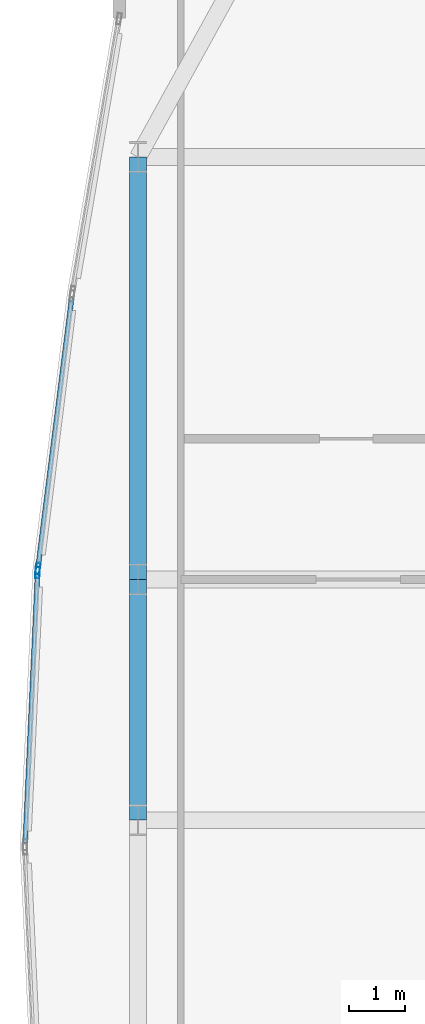
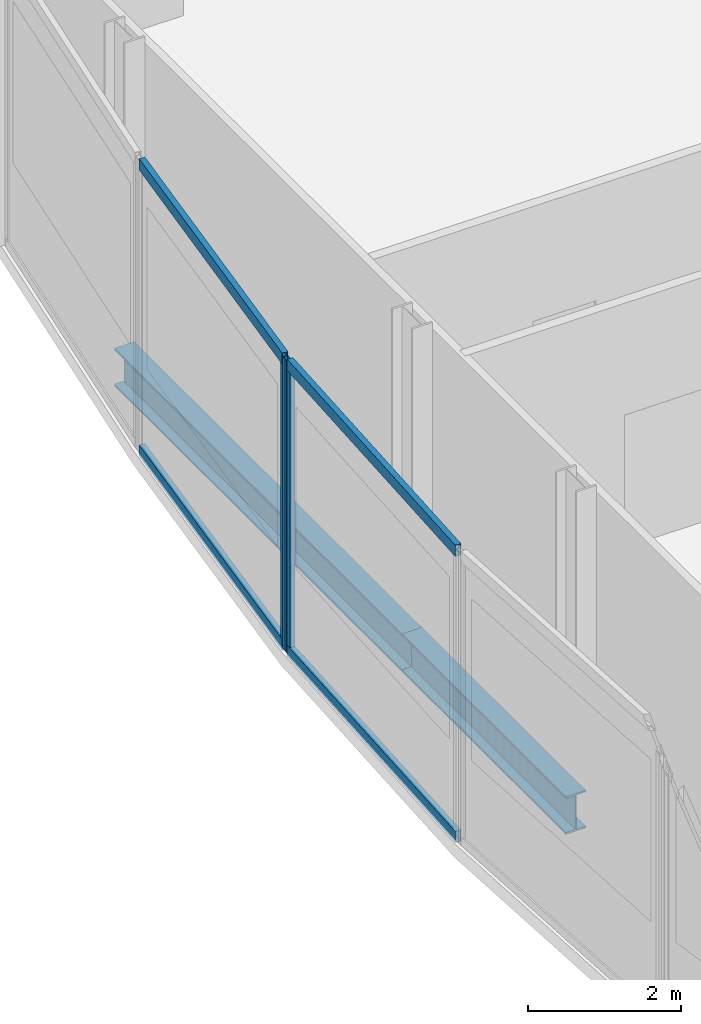
# One storey, part 11 of 30: 6 members, 2 beams, 2 elements without a shape of their own.
"""IFC4 building model written with IfcOpenShell, lengths in metres."""

from ifc_helpers import new_model, si_unit, direction, frame, origin, origin_2d, place, context, subcontext, project, spatial, hollow_rectangle, i_section, extrude, material, material_profile, profile_set, type_object, element, aggregate, save


model = new_model("IFC4")

# Units and contexts
model_context = context("Model", 3, precision=1e-05, world=origin(), true_north=direction((0.0, 1.0)))
body_context = subcontext(model_context, "Body", "Model", "MODEL_VIEW")
ifc_project = project(units=[si_unit("LENGTHUNIT", "METRE"), si_unit("AREAUNIT", "SQUARE_METRE"), si_unit("VOLUMEUNIT", "CUBIC_METRE"), si_unit("PLANEANGLEUNIT", "RADIAN"), si_unit("MASSUNIT", "GRAM", prefix="KILO")], contexts=[model_context])

# Site, building, storey
site_placement = place(None, origin())
site = spatial("IfcSite", under=ifc_project, at=site_placement, CompositionType="ELEMENT")
building_placement = place(site_placement, origin())
building = spatial("IfcBuilding", under=site, at=building_placement, Name="Khoronbel Lancet Exchange", CompositionType="ELEMENT")
storey_placement = place(building_placement, frame((0.0, 0.0, 172.199951171875)))
storey = spatial("IfcBuildingStorey", under=building, at=storey_placement, Name="L43", CompositionType="ELEMENT", Elevation=172.199951171875)

# Beams
ifc_material_1 = material(Name="Steel S355", Category="steel")
ifc_material_profile_1 = material_profile(ifc_material_1, i_section(OverallWidth=0.300048828125, OverallDepth=0.60009765625, WebThickness=0.015380859375, FlangeThickness=0.030029296875, at=origin_2d()), Name="HEB 600")
ifc_profile_set_1 = profile_set([ifc_material_profile_1], Name="Steel S355")
beam_type = type_object("IfcBeamType", Name="BM-BSP2", PredefinedType="SPANDREL", material=ifc_profile_set_1)
beam_1_placement = place(storey_placement, frame((5.27001953125, 43.199951171875, -0.52001953125), z_axis=(0.0, -1.0, 0.0), x_axis=(1.0, 0.0, 0.0)))
element("IfcBeam", 1, at=beam_1_placement, inside=storey, type_object=beam_type, Name="Level L43 perimeter spandrel beam SP17", PredefinedType="SPANDREL", context=body_context, shape_type="SweptSolid", body=[
    extrude(i_section(OverallWidth=0.300048828125, OverallDepth=0.60009765625, WebThickness=0.015380859375, FlangeThickness=0.030029296875, at=origin_2d()), origin(), (0.0, 0.0, 1.0), 7.5),
])
beam_2_placement = place(storey_placement, frame((5.27001953125, 35.699951171875, -0.52001953125), z_axis=(0.0, -1.0, 0.0), x_axis=(1.0, 0.0, 0.0)))
element("IfcBeam", 2, at=beam_2_placement, inside=storey, type_object=beam_type, Name="Level L43 perimeter spandrel beam SP18", PredefinedType="SPANDREL", context=body_context, shape_type="SweptSolid", body=[
    extrude(i_section(OverallWidth=0.300048828125, OverallDepth=0.60009765625, WebThickness=0.015380859375, FlangeThickness=0.030029296875, at=origin_2d()), origin(), (0.0, 0.0, 1.0), 4.27490234375),
])

# Curtain wall, member
ifc_material_2 = material(Name="Low-E Solar Control Insulating Glass", Category="glass")
curtain_wall_type = type_object("IfcCurtainWallType", Name="CW-4", PredefinedType="NOTDEFINED", material=ifc_material_2)
curtain_wall_1_placement = place(storey_placement, origin())
curtain_wall_1 = element("IfcCurtainWall", 3, at=curtain_wall_1_placement, inside=storey, type_object=curtain_wall_type, Name="Unitised curtain wall CW-L43-E07", PredefinedType="NOTDEFINED")
ifc_material_3 = material(Name="Bronze-Anodised Aluminium 6063-T6", Category="aluminium")
ifc_material_profile_2 = material_profile(ifc_material_3, hollow_rectangle(XDim=0.074951171875, YDim=0.199951171875, WallThickness=0.0048828125, at=origin_2d()), Name="ALU MULLION 75x200")
ifc_profile_set_2 = profile_set([ifc_material_profile_2], Name="Bronze-Anodised Aluminium 6063-T6")
member_type_1 = type_object("IfcMemberType", Name="MEM-CWM2", PredefinedType="MULLION", material=ifc_profile_set_2)
member_1_placement = place(storey_placement, frame((3.486572265625, 35.821533203125, 0.0), z_axis=(0.0, 0.0, 1.0), x_axis=(-0.998959668299, 0.045602424407, 0.0)))
member_1 = element("IfcMember", 4, at=member_1_placement, type_object=member_type_1, Name="CW4 mullion 2", PredefinedType="MULLION", context=body_context, shape_type="SweptSolid", body=[
    extrude(hollow_rectangle(XDim=0.074951171875, YDim=0.199951171875, WallThickness=0.0048828125, at=origin_2d()), origin(), (0.0, 0.0, 1.0), 4.64013671875),
])

curtain_wall_2_placement = place(storey_placement, origin())
curtain_wall_2 = element("IfcCurtainWall", 5, at=curtain_wall_2_placement, inside=storey, type_object=curtain_wall_type, Name="Unitised curtain wall CW-L43-E08", PredefinedType="NOTDEFINED")
member_2_placement = place(storey_placement, frame((3.492919921875, 35.896240234375, 0.0), z_axis=(0.0, 0.0, 1.0), x_axis=(-0.992302414475, 0.123838274483, 0.0)))
member_2 = element("IfcMember", 6, at=member_2_placement, type_object=member_type_1, Name="CW4 mullion 1", PredefinedType="MULLION", context=body_context, shape_type="SweptSolid", body=[
    extrude(hollow_rectangle(XDim=0.074951171875, YDim=0.199951171875, WallThickness=0.0048828125, at=origin_2d()), origin(), (0.0, 0.0, 1.0), 4.64013671875),
])

# Member
ifc_material_profile_3 = material_profile(ifc_material_3, hollow_rectangle(XDim=0.0849609375, YDim=0.179931640625, WallThickness=0.0048828125, at=origin_2d()), Name="ALU TRANSOM 85x180")
ifc_profile_set_3 = profile_set([ifc_material_profile_3], Name="Bronze-Anodised Aluminium 6063-T6")
member_type_2 = type_object("IfcMemberType", Name="MEM-CWT1", PredefinedType="USERDEFINED", material=ifc_profile_set_3)
member_3_placement = place(storey_placement, frame((3.267578125, 31.02490234375, 0.04248046875), z_axis=(0.045607566219, 0.998959433563, 0.0), x_axis=(-0.998959433563, 0.045607566219, 0.0)))
member_3 = element("IfcMember", 7, at=member_3_placement, type_object=member_type_2, Name="CW4 transom 1.1", ObjectType="TRANSOM", PredefinedType="USERDEFINED", context=body_context, shape_type="SweptSolid", body=[
    extrude(hollow_rectangle(XDim=0.0849609375, YDim=0.179931640625, WallThickness=0.0048828125, at=origin_2d()), origin(), (0.0, 0.0, 1.0), 4.76416015625),
])

member_4_placement = place(storey_placement, frame((3.267578125, 31.02490234375, 4.59765625), z_axis=(0.045607566219, 0.998959433563, 0.0), x_axis=(-0.998959433563, 0.045607566219, 0.0)))
member_4 = element("IfcMember", 8, at=member_4_placement, type_object=member_type_2, Name="CW4 transom 1.2", ObjectType="TRANSOM", PredefinedType="USERDEFINED", context=body_context, shape_type="SweptSolid", body=[
    extrude(hollow_rectangle(XDim=0.0849609375, YDim=0.179931640625, WallThickness=0.0048828125, at=origin_2d()), origin(), (0.0, 0.0, 1.0), 4.76416015625),
])

aggregate(curtain_wall_1, [member_1, member_3, member_4])

member_5_placement = place(storey_placement, frame((3.49755859375, 35.93359375, 0.04248046875), z_axis=(0.123821853004, 0.99230446372, 0.0), x_axis=(-0.99230446372, 0.123821853004, 0.0)))
member_5 = element("IfcMember", 9, at=member_5_placement, type_object=member_type_2, Name="CW4 transom 1.1", ObjectType="TRANSOM", PredefinedType="USERDEFINED", context=body_context, shape_type="SweptSolid", body=[
    extrude(hollow_rectangle(XDim=0.0849609375, YDim=0.179931640625, WallThickness=0.0048828125, at=origin_2d()), origin(), (0.0, 0.0, 1.0), 4.799072265625),
])

member_6_placement = place(storey_placement, frame((3.49755859375, 35.93359375, 4.59765625), z_axis=(0.123821853004, 0.99230446372, 0.0), x_axis=(-0.99230446372, 0.123821853004, 0.0)))
member_6 = element("IfcMember", 10, at=member_6_placement, type_object=member_type_2, Name="CW4 transom 1.2", ObjectType="TRANSOM", PredefinedType="USERDEFINED", context=body_context, shape_type="SweptSolid", body=[
    extrude(hollow_rectangle(XDim=0.0849609375, YDim=0.179931640625, WallThickness=0.0048828125, at=origin_2d()), origin(), (0.0, 0.0, 1.0), 4.799072265625),
])

aggregate(curtain_wall_2, [member_2, member_5, member_6])

save(model, "model.ifc")
